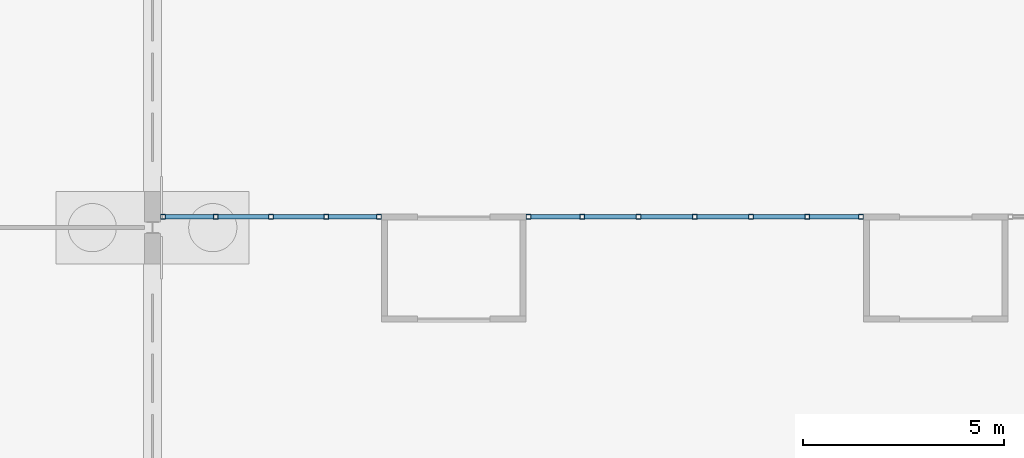
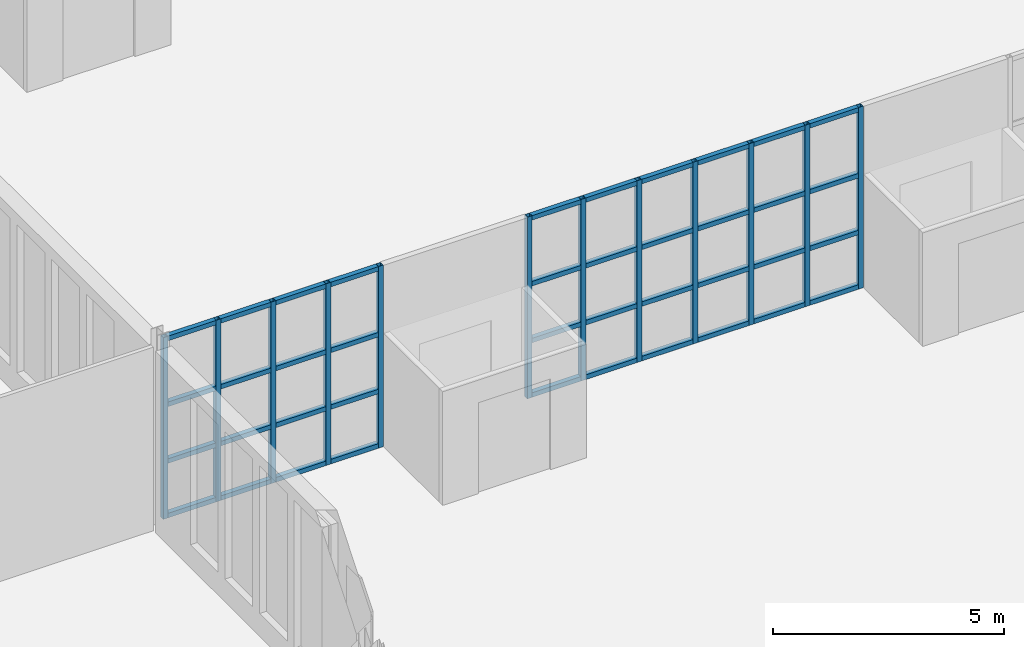
# One storey, part 46 of 168: 52 members, 2 elements without a shape of their own.
"""IFC4 building model written with IfcOpenShell, lengths in metres."""

from ifc_helpers import new_model, si_unit, direction, frame, origin, origin_2d, place, context, subcontext, project, spatial, hollow_rectangle, extrude, material, material_profile, profile_set, type_object, element, aggregate, save


model = new_model("IFC4")

# Units and contexts
model_context = context("Model", 3, precision=1e-05, world=origin(), true_north=direction((0.0, 1.0)))
body_context = subcontext(model_context, "Body", "Model", "MODEL_VIEW")
ifc_project = project(units=[si_unit("LENGTHUNIT", "METRE"), si_unit("AREAUNIT", "SQUARE_METRE"), si_unit("VOLUMEUNIT", "CUBIC_METRE"), si_unit("PLANEANGLEUNIT", "RADIAN"), si_unit("MASSUNIT", "GRAM", prefix="KILO")], contexts=[model_context])

# Site, building, storey
site_placement = place(None, origin())
site = spatial("IfcSite", under=ifc_project, at=site_placement, CompositionType="ELEMENT")
building_placement = place(site_placement, origin())
building = spatial("IfcBuilding", under=site, at=building_placement, Name="Golden Quay Civic Hall", CompositionType="ELEMENT")
storey_placement = place(building_placement, origin())
storey = spatial("IfcBuildingStorey", under=building, at=storey_placement, Name="L00", CompositionType="ELEMENT", Elevation=0.0)

# Curtain wall, members
ifc_material_1 = material(Name="Fire-resisting glass and steel", Category="steel")
curtain_wall_type = type_object("IfcCurtainWallType", Name="Fire-resisting glazed curtain wall EI 120", PredefinedType="NOTDEFINED", material=ifc_material_1)
curtain_wall_1_placement = place(storey_placement, origin())
curtain_wall_1 = element("IfcCurtainWall", 1, at=curtain_wall_1_placement, inside=storey, type_object=curtain_wall_type, Name="CW3 curtain wall", PredefinedType="NOTDEFINED")
ifc_material_2 = material(Name="Steel S355", Category="steel")
ifc_material_profile_1 = material_profile(ifc_material_2, hollow_rectangle(XDim=0.1201171875, YDim=0.1201171875, WallThickness=0.008056640625, at=origin_2d()), Name="SHS 120x120x8")
ifc_profile_set_1 = profile_set([ifc_material_profile_1], Name="Steel S355")
member_type_1 = type_object("IfcMemberType", Name="Fire-resisting steel mullion SHS 120x120x8", PredefinedType="MULLION", material=ifc_profile_set_1)
member_1_placement = place(storey_placement, frame((72.260009765625, 18.27001953125, 0.0), z_axis=(0.0, 0.0, 1.0), x_axis=(0.0, 1.0, 0.0)))
member_1 = element("IfcMember", 2, at=member_1_placement, type_object=member_type_1, Name="CW3 mullion 1", PredefinedType="MULLION", context=body_context, shape_type="SweptSolid", body=[
    extrude(hollow_rectangle(XDim=0.1201171875, YDim=0.1201171875, WallThickness=0.008056640625, at=origin_2d()), origin(), (0.0, 0.0, 1.0), 4.800048828125),
])
member_2_placement = place(storey_placement, frame((73.574951171875, 18.27001953125, 0.0), z_axis=(0.0, 0.0, 1.0), x_axis=(0.0, 1.0, 0.0)))
member_2 = element("IfcMember", 3, at=member_2_placement, type_object=member_type_1, Name="CW3 mullion 2", PredefinedType="MULLION", context=body_context, shape_type="SweptSolid", body=[
    extrude(hollow_rectangle(XDim=0.1201171875, YDim=0.1201171875, WallThickness=0.008056640625, at=origin_2d()), origin(), (0.0, 0.0, 1.0), 4.800048828125),
])
member_3_placement = place(storey_placement, frame((74.949951171875, 18.27001953125, 0.0), z_axis=(0.0, 0.0, 1.0), x_axis=(0.0, 1.0, 0.0)))
member_3 = element("IfcMember", 4, at=member_3_placement, type_object=member_type_1, Name="CW3 mullion 3", PredefinedType="MULLION", context=body_context, shape_type="SweptSolid", body=[
    extrude(hollow_rectangle(XDim=0.1201171875, YDim=0.1201171875, WallThickness=0.008056640625, at=origin_2d()), origin(), (0.0, 0.0, 1.0), 4.800048828125),
])
member_4_placement = place(storey_placement, frame((76.324951171875, 18.27001953125, 0.0), z_axis=(0.0, 0.0, 1.0), x_axis=(0.0, 1.0, 0.0)))
member_4 = element("IfcMember", 5, at=member_4_placement, type_object=member_type_1, Name="CW3 mullion 4", PredefinedType="MULLION", context=body_context, shape_type="SweptSolid", body=[
    extrude(hollow_rectangle(XDim=0.1201171875, YDim=0.1201171875, WallThickness=0.008056640625, at=origin_2d()), origin(), (0.0, 0.0, 1.0), 4.800048828125),
])
member_5_placement = place(storey_placement, frame((77.639892578125, 18.27001953125, 0.0), z_axis=(0.0, 0.0, 1.0), x_axis=(0.0, 1.0, 0.0)))
member_5 = element("IfcMember", 6, at=member_5_placement, type_object=member_type_1, Name="CW3 mullion 5", PredefinedType="MULLION", context=body_context, shape_type="SweptSolid", body=[
    extrude(hollow_rectangle(XDim=0.1201171875, YDim=0.1201171875, WallThickness=0.008056640625, at=origin_2d()), origin(), (0.0, 0.0, 1.0), 4.800048828125),
])

curtain_wall_2_placement = place(storey_placement, origin())
curtain_wall_2 = element("IfcCurtainWall", 7, at=curtain_wall_2_placement, inside=storey, type_object=curtain_wall_type, Name="CW3 curtain wall", PredefinedType="NOTDEFINED")
member_6_placement = place(storey_placement, frame((81.360107421875, 18.27001953125, 0.0), z_axis=(0.0, 0.0, 1.0), x_axis=(0.0, 1.0, 0.0)))
member_6 = element("IfcMember", 8, at=member_6_placement, type_object=member_type_1, Name="CW3 mullion 1", PredefinedType="MULLION", context=body_context, shape_type="SweptSolid", body=[
    extrude(hollow_rectangle(XDim=0.1201171875, YDim=0.1201171875, WallThickness=0.008056640625, at=origin_2d()), origin(), (0.0, 0.0, 1.0), 4.800048828125),
])
member_7_placement = place(storey_placement, frame((82.699951171875, 18.27001953125, 0.0), z_axis=(0.0, 0.0, 1.0), x_axis=(0.0, 1.0, 0.0)))
member_7 = element("IfcMember", 9, at=member_7_placement, type_object=member_type_1, Name="CW3 mullion 2", PredefinedType="MULLION", context=body_context, shape_type="SweptSolid", body=[
    extrude(hollow_rectangle(XDim=0.1201171875, YDim=0.1201171875, WallThickness=0.008056640625, at=origin_2d()), origin(), (0.0, 0.0, 1.0), 4.800048828125),
])
member_8_placement = place(storey_placement, frame((84.10009765625, 18.27001953125, 0.0), z_axis=(0.0, 0.0, 1.0), x_axis=(0.0, 1.0, 0.0)))
member_8 = element("IfcMember", 10, at=member_8_placement, type_object=member_type_1, Name="CW3 mullion 3", PredefinedType="MULLION", context=body_context, shape_type="SweptSolid", body=[
    extrude(hollow_rectangle(XDim=0.1201171875, YDim=0.1201171875, WallThickness=0.008056640625, at=origin_2d()), origin(), (0.0, 0.0, 1.0), 4.800048828125),
])
member_9_placement = place(storey_placement, frame((85.5, 18.27001953125, 0.0), z_axis=(0.0, 0.0, 1.0), x_axis=(0.0, 1.0, 0.0)))
member_9 = element("IfcMember", 11, at=member_9_placement, type_object=member_type_1, Name="CW3 mullion 4", PredefinedType="MULLION", context=body_context, shape_type="SweptSolid", body=[
    extrude(hollow_rectangle(XDim=0.1201171875, YDim=0.1201171875, WallThickness=0.008056640625, at=origin_2d()), origin(), (0.0, 0.0, 1.0), 4.800048828125),
])
member_10_placement = place(storey_placement, frame((86.89990234375, 18.27001953125, 0.0), z_axis=(0.0, 0.0, 1.0), x_axis=(0.0, 1.0, 0.0)))
member_10 = element("IfcMember", 12, at=member_10_placement, type_object=member_type_1, Name="CW3 mullion 5", PredefinedType="MULLION", context=body_context, shape_type="SweptSolid", body=[
    extrude(hollow_rectangle(XDim=0.1201171875, YDim=0.1201171875, WallThickness=0.008056640625, at=origin_2d()), origin(), (0.0, 0.0, 1.0), 4.800048828125),
])
member_11_placement = place(storey_placement, frame((88.300048828125, 18.27001953125, 0.0), z_axis=(0.0, 0.0, 1.0), x_axis=(0.0, 1.0, 0.0)))
member_11 = element("IfcMember", 13, at=member_11_placement, type_object=member_type_1, Name="CW3 mullion 6", PredefinedType="MULLION", context=body_context, shape_type="SweptSolid", body=[
    extrude(hollow_rectangle(XDim=0.1201171875, YDim=0.1201171875, WallThickness=0.008056640625, at=origin_2d()), origin(), (0.0, 0.0, 1.0), 4.800048828125),
])
member_12_placement = place(storey_placement, frame((89.639892578125, 18.27001953125, 0.0), z_axis=(0.0, 0.0, 1.0), x_axis=(0.0, 1.0, 0.0)))
member_12 = element("IfcMember", 14, at=member_12_placement, type_object=member_type_1, Name="CW3 mullion 7", PredefinedType="MULLION", context=body_context, shape_type="SweptSolid", body=[
    extrude(hollow_rectangle(XDim=0.1201171875, YDim=0.1201171875, WallThickness=0.008056640625, at=origin_2d()), origin(), (0.0, 0.0, 1.0), 4.800048828125),
])

# Member
ifc_material_3 = material(Name="Steel S355", Category="steel")
ifc_material_profile_2 = material_profile(ifc_material_3, hollow_rectangle(XDim=0.1201171875, YDim=0.1201171875, WallThickness=0.008056640625, at=origin_2d()), Name="SHS 120x120x8")
ifc_profile_set_2 = profile_set([ifc_material_profile_2], Name="Steel S355")
member_type_2 = type_object("IfcMemberType", Name="Fire-resisting steel transom SHS 120x120x8", PredefinedType="USERDEFINED", material=ifc_profile_set_2)
member_13_placement = place(storey_placement, frame((72.320068359375, 18.27001953125, 0.06005859375), z_axis=(1.0, 0.0, 0.0), x_axis=(0.0, 1.0, 0.0)))
member_13 = element("IfcMember", 15, at=member_13_placement, type_object=member_type_2, Name="CW3 transom 1.1", ObjectType="TRANSOM", PredefinedType="USERDEFINED", context=body_context, shape_type="SweptSolid", body=[
    extrude(hollow_rectangle(XDim=0.1201171875, YDim=0.1201171875, WallThickness=0.008056640625, at=origin_2d()), origin(), (0.0, 0.0, 1.0), 1.19482421875),
])

member_14_placement = place(storey_placement, frame((72.320068359375, 18.27001953125, 1.5), z_axis=(1.0, 0.0, 0.0), x_axis=(0.0, 1.0, 0.0)))
member_14 = element("IfcMember", 16, at=member_14_placement, type_object=member_type_2, Name="CW3 transom 1.2", ObjectType="TRANSOM", PredefinedType="USERDEFINED", context=body_context, shape_type="SweptSolid", body=[
    extrude(hollow_rectangle(XDim=0.1201171875, YDim=0.1201171875, WallThickness=0.008056640625, at=origin_2d()), origin(), (0.0, 0.0, 1.0), 1.19482421875),
])

member_15_placement = place(storey_placement, frame((72.320068359375, 18.27001953125, 3.0), z_axis=(1.0, 0.0, 0.0), x_axis=(0.0, 1.0, 0.0)))
member_15 = element("IfcMember", 17, at=member_15_placement, type_object=member_type_2, Name="CW3 transom 1.3", ObjectType="TRANSOM", PredefinedType="USERDEFINED", context=body_context, shape_type="SweptSolid", body=[
    extrude(hollow_rectangle(XDim=0.1201171875, YDim=0.1201171875, WallThickness=0.008056640625, at=origin_2d()), origin(), (0.0, 0.0, 1.0), 1.19482421875),
])

member_16_placement = place(storey_placement, frame((72.320068359375, 18.27001953125, 4.739990234375), z_axis=(1.0, 0.0, 0.0), x_axis=(0.0, 1.0, 0.0)))
member_16 = element("IfcMember", 18, at=member_16_placement, type_object=member_type_2, Name="CW3 transom 1.4", ObjectType="TRANSOM", PredefinedType="USERDEFINED", context=body_context, shape_type="SweptSolid", body=[
    extrude(hollow_rectangle(XDim=0.1201171875, YDim=0.1201171875, WallThickness=0.008056640625, at=origin_2d()), origin(), (0.0, 0.0, 1.0), 1.19482421875),
])

member_17_placement = place(storey_placement, frame((73.635009765625, 18.27001953125, 0.06005859375), z_axis=(1.0, 0.0, 0.0), x_axis=(0.0, 1.0, 0.0)))
member_17 = element("IfcMember", 19, at=member_17_placement, type_object=member_type_2, Name="CW3 transom 2.1", ObjectType="TRANSOM", PredefinedType="USERDEFINED", context=body_context, shape_type="SweptSolid", body=[
    extrude(hollow_rectangle(XDim=0.1201171875, YDim=0.1201171875, WallThickness=0.008056640625, at=origin_2d()), origin(), (0.0, 0.0, 1.0), 1.2548828125),
])

member_18_placement = place(storey_placement, frame((73.635009765625, 18.27001953125, 1.5), z_axis=(1.0, 0.0, 0.0), x_axis=(0.0, 1.0, 0.0)))
member_18 = element("IfcMember", 20, at=member_18_placement, type_object=member_type_2, Name="CW3 transom 2.2", ObjectType="TRANSOM", PredefinedType="USERDEFINED", context=body_context, shape_type="SweptSolid", body=[
    extrude(hollow_rectangle(XDim=0.1201171875, YDim=0.1201171875, WallThickness=0.008056640625, at=origin_2d()), origin(), (0.0, 0.0, 1.0), 1.2548828125),
])

member_19_placement = place(storey_placement, frame((73.635009765625, 18.27001953125, 3.0), z_axis=(1.0, 0.0, 0.0), x_axis=(0.0, 1.0, 0.0)))
member_19 = element("IfcMember", 21, at=member_19_placement, type_object=member_type_2, Name="CW3 transom 2.3", ObjectType="TRANSOM", PredefinedType="USERDEFINED", context=body_context, shape_type="SweptSolid", body=[
    extrude(hollow_rectangle(XDim=0.1201171875, YDim=0.1201171875, WallThickness=0.008056640625, at=origin_2d()), origin(), (0.0, 0.0, 1.0), 1.2548828125),
])

member_20_placement = place(storey_placement, frame((73.635009765625, 18.27001953125, 4.739990234375), z_axis=(1.0, 0.0, 0.0), x_axis=(0.0, 1.0, 0.0)))
member_20 = element("IfcMember", 22, at=member_20_placement, type_object=member_type_2, Name="CW3 transom 2.4", ObjectType="TRANSOM", PredefinedType="USERDEFINED", context=body_context, shape_type="SweptSolid", body=[
    extrude(hollow_rectangle(XDim=0.1201171875, YDim=0.1201171875, WallThickness=0.008056640625, at=origin_2d()), origin(), (0.0, 0.0, 1.0), 1.2548828125),
])

member_21_placement = place(storey_placement, frame((75.010009765625, 18.27001953125, 0.06005859375), z_axis=(1.0, 0.0, 0.0), x_axis=(0.0, 1.0, 0.0)))
member_21 = element("IfcMember", 23, at=member_21_placement, type_object=member_type_2, Name="CW3 transom 3.1", ObjectType="TRANSOM", PredefinedType="USERDEFINED", context=body_context, shape_type="SweptSolid", body=[
    extrude(hollow_rectangle(XDim=0.1201171875, YDim=0.1201171875, WallThickness=0.008056640625, at=origin_2d()), origin(), (0.0, 0.0, 1.0), 1.2548828125),
])

member_22_placement = place(storey_placement, frame((75.010009765625, 18.27001953125, 1.5), z_axis=(1.0, 0.0, 0.0), x_axis=(0.0, 1.0, 0.0)))
member_22 = element("IfcMember", 24, at=member_22_placement, type_object=member_type_2, Name="CW3 transom 3.2", ObjectType="TRANSOM", PredefinedType="USERDEFINED", context=body_context, shape_type="SweptSolid", body=[
    extrude(hollow_rectangle(XDim=0.1201171875, YDim=0.1201171875, WallThickness=0.008056640625, at=origin_2d()), origin(), (0.0, 0.0, 1.0), 1.2548828125),
])

member_23_placement = place(storey_placement, frame((75.010009765625, 18.27001953125, 3.0), z_axis=(1.0, 0.0, 0.0), x_axis=(0.0, 1.0, 0.0)))
member_23 = element("IfcMember", 25, at=member_23_placement, type_object=member_type_2, Name="CW3 transom 3.3", ObjectType="TRANSOM", PredefinedType="USERDEFINED", context=body_context, shape_type="SweptSolid", body=[
    extrude(hollow_rectangle(XDim=0.1201171875, YDim=0.1201171875, WallThickness=0.008056640625, at=origin_2d()), origin(), (0.0, 0.0, 1.0), 1.2548828125),
])

member_24_placement = place(storey_placement, frame((75.010009765625, 18.27001953125, 4.739990234375), z_axis=(1.0, 0.0, 0.0), x_axis=(0.0, 1.0, 0.0)))
member_24 = element("IfcMember", 26, at=member_24_placement, type_object=member_type_2, Name="CW3 transom 3.4", ObjectType="TRANSOM", PredefinedType="USERDEFINED", context=body_context, shape_type="SweptSolid", body=[
    extrude(hollow_rectangle(XDim=0.1201171875, YDim=0.1201171875, WallThickness=0.008056640625, at=origin_2d()), origin(), (0.0, 0.0, 1.0), 1.2548828125),
])

member_25_placement = place(storey_placement, frame((76.385009765625, 18.27001953125, 0.06005859375), z_axis=(1.0, 0.0, 0.0), x_axis=(0.0, 1.0, 0.0)))
member_25 = element("IfcMember", 27, at=member_25_placement, type_object=member_type_2, Name="CW3 transom 4.1", ObjectType="TRANSOM", PredefinedType="USERDEFINED", context=body_context, shape_type="SweptSolid", body=[
    extrude(hollow_rectangle(XDim=0.1201171875, YDim=0.1201171875, WallThickness=0.008056640625, at=origin_2d()), origin(), (0.0, 0.0, 1.0), 1.195068359375),
])

member_26_placement = place(storey_placement, frame((76.385009765625, 18.27001953125, 1.5), z_axis=(1.0, 0.0, 0.0), x_axis=(0.0, 1.0, 0.0)))
member_26 = element("IfcMember", 28, at=member_26_placement, type_object=member_type_2, Name="CW3 transom 4.2", ObjectType="TRANSOM", PredefinedType="USERDEFINED", context=body_context, shape_type="SweptSolid", body=[
    extrude(hollow_rectangle(XDim=0.1201171875, YDim=0.1201171875, WallThickness=0.008056640625, at=origin_2d()), origin(), (0.0, 0.0, 1.0), 1.195068359375),
])

member_27_placement = place(storey_placement, frame((76.385009765625, 18.27001953125, 3.0), z_axis=(1.0, 0.0, 0.0), x_axis=(0.0, 1.0, 0.0)))
member_27 = element("IfcMember", 29, at=member_27_placement, type_object=member_type_2, Name="CW3 transom 4.3", ObjectType="TRANSOM", PredefinedType="USERDEFINED", context=body_context, shape_type="SweptSolid", body=[
    extrude(hollow_rectangle(XDim=0.1201171875, YDim=0.1201171875, WallThickness=0.008056640625, at=origin_2d()), origin(), (0.0, 0.0, 1.0), 1.195068359375),
])

member_28_placement = place(storey_placement, frame((76.385009765625, 18.27001953125, 4.739990234375), z_axis=(1.0, 0.0, 0.0), x_axis=(0.0, 1.0, 0.0)))
member_28 = element("IfcMember", 30, at=member_28_placement, type_object=member_type_2, Name="CW3 transom 4.4", ObjectType="TRANSOM", PredefinedType="USERDEFINED", context=body_context, shape_type="SweptSolid", body=[
    extrude(hollow_rectangle(XDim=0.1201171875, YDim=0.1201171875, WallThickness=0.008056640625, at=origin_2d()), origin(), (0.0, 0.0, 1.0), 1.195068359375),
])

aggregate(curtain_wall_1, [member_1, member_2, member_3, member_4, member_5, member_13, member_14, member_15, member_16, member_17, member_18, member_19, member_20, member_21, member_22, member_23, member_24, member_25, member_26, member_27, member_28])

member_29_placement = place(storey_placement, frame((81.419921875, 18.27001953125, 0.06005859375), z_axis=(1.0, 0.0, 0.0), x_axis=(0.0, 1.0, 0.0)))
member_29 = element("IfcMember", 31, at=member_29_placement, type_object=member_type_2, Name="CW3 transom 1.1", ObjectType="TRANSOM", PredefinedType="USERDEFINED", context=body_context, shape_type="SweptSolid", body=[
    extrude(hollow_rectangle(XDim=0.1201171875, YDim=0.1201171875, WallThickness=0.008056640625, at=origin_2d()), origin(), (0.0, 0.0, 1.0), 1.219970703125),
])

member_30_placement = place(storey_placement, frame((81.419921875, 18.27001953125, 1.5), z_axis=(1.0, 0.0, 0.0), x_axis=(0.0, 1.0, 0.0)))
member_30 = element("IfcMember", 32, at=member_30_placement, type_object=member_type_2, Name="CW3 transom 1.2", ObjectType="TRANSOM", PredefinedType="USERDEFINED", context=body_context, shape_type="SweptSolid", body=[
    extrude(hollow_rectangle(XDim=0.1201171875, YDim=0.1201171875, WallThickness=0.008056640625, at=origin_2d()), origin(), (0.0, 0.0, 1.0), 1.219970703125),
])

member_31_placement = place(storey_placement, frame((81.419921875, 18.27001953125, 3.0), z_axis=(1.0, 0.0, 0.0), x_axis=(0.0, 1.0, 0.0)))
member_31 = element("IfcMember", 33, at=member_31_placement, type_object=member_type_2, Name="CW3 transom 1.3", ObjectType="TRANSOM", PredefinedType="USERDEFINED", context=body_context, shape_type="SweptSolid", body=[
    extrude(hollow_rectangle(XDim=0.1201171875, YDim=0.1201171875, WallThickness=0.008056640625, at=origin_2d()), origin(), (0.0, 0.0, 1.0), 1.219970703125),
])

member_32_placement = place(storey_placement, frame((81.419921875, 18.27001953125, 4.739990234375), z_axis=(1.0, 0.0, 0.0), x_axis=(0.0, 1.0, 0.0)))
member_32 = element("IfcMember", 34, at=member_32_placement, type_object=member_type_2, Name="CW3 transom 1.4", ObjectType="TRANSOM", PredefinedType="USERDEFINED", context=body_context, shape_type="SweptSolid", body=[
    extrude(hollow_rectangle(XDim=0.1201171875, YDim=0.1201171875, WallThickness=0.008056640625, at=origin_2d()), origin(), (0.0, 0.0, 1.0), 1.219970703125),
])

member_33_placement = place(storey_placement, frame((82.760009765625, 18.27001953125, 0.06005859375), z_axis=(1.0, 0.0, 0.0), x_axis=(0.0, 1.0, 0.0)))
member_33 = element("IfcMember", 35, at=member_33_placement, type_object=member_type_2, Name="CW3 transom 2.1", ObjectType="TRANSOM", PredefinedType="USERDEFINED", context=body_context, shape_type="SweptSolid", body=[
    extrude(hollow_rectangle(XDim=0.1201171875, YDim=0.1201171875, WallThickness=0.008056640625, at=origin_2d()), origin(), (0.0, 0.0, 1.0), 1.280029296875),
])

member_34_placement = place(storey_placement, frame((82.760009765625, 18.27001953125, 1.5), z_axis=(1.0, 0.0, 0.0), x_axis=(0.0, 1.0, 0.0)))
member_34 = element("IfcMember", 36, at=member_34_placement, type_object=member_type_2, Name="CW3 transom 2.2", ObjectType="TRANSOM", PredefinedType="USERDEFINED", context=body_context, shape_type="SweptSolid", body=[
    extrude(hollow_rectangle(XDim=0.1201171875, YDim=0.1201171875, WallThickness=0.008056640625, at=origin_2d()), origin(), (0.0, 0.0, 1.0), 1.280029296875),
])

member_35_placement = place(storey_placement, frame((82.760009765625, 18.27001953125, 3.0), z_axis=(1.0, 0.0, 0.0), x_axis=(0.0, 1.0, 0.0)))
member_35 = element("IfcMember", 37, at=member_35_placement, type_object=member_type_2, Name="CW3 transom 2.3", ObjectType="TRANSOM", PredefinedType="USERDEFINED", context=body_context, shape_type="SweptSolid", body=[
    extrude(hollow_rectangle(XDim=0.1201171875, YDim=0.1201171875, WallThickness=0.008056640625, at=origin_2d()), origin(), (0.0, 0.0, 1.0), 1.280029296875),
])

member_36_placement = place(storey_placement, frame((82.760009765625, 18.27001953125, 4.739990234375), z_axis=(1.0, 0.0, 0.0), x_axis=(0.0, 1.0, 0.0)))
member_36 = element("IfcMember", 38, at=member_36_placement, type_object=member_type_2, Name="CW3 transom 2.4", ObjectType="TRANSOM", PredefinedType="USERDEFINED", context=body_context, shape_type="SweptSolid", body=[
    extrude(hollow_rectangle(XDim=0.1201171875, YDim=0.1201171875, WallThickness=0.008056640625, at=origin_2d()), origin(), (0.0, 0.0, 1.0), 1.280029296875),
])

member_37_placement = place(storey_placement, frame((84.159912109375, 18.27001953125, 0.06005859375), z_axis=(1.0, 0.0, 0.0), x_axis=(0.0, 1.0, 0.0)))
member_37 = element("IfcMember", 39, at=member_37_placement, type_object=member_type_2, Name="CW3 transom 3.1", ObjectType="TRANSOM", PredefinedType="USERDEFINED", context=body_context, shape_type="SweptSolid", body=[
    extrude(hollow_rectangle(XDim=0.1201171875, YDim=0.1201171875, WallThickness=0.008056640625, at=origin_2d()), origin(), (0.0, 0.0, 1.0), 1.280029296875),
])

member_38_placement = place(storey_placement, frame((84.159912109375, 18.27001953125, 1.5), z_axis=(1.0, 0.0, 0.0), x_axis=(0.0, 1.0, 0.0)))
member_38 = element("IfcMember", 40, at=member_38_placement, type_object=member_type_2, Name="CW3 transom 3.2", ObjectType="TRANSOM", PredefinedType="USERDEFINED", context=body_context, shape_type="SweptSolid", body=[
    extrude(hollow_rectangle(XDim=0.1201171875, YDim=0.1201171875, WallThickness=0.008056640625, at=origin_2d()), origin(), (0.0, 0.0, 1.0), 1.280029296875),
])

member_39_placement = place(storey_placement, frame((84.159912109375, 18.27001953125, 3.0), z_axis=(1.0, 0.0, 0.0), x_axis=(0.0, 1.0, 0.0)))
member_39 = element("IfcMember", 41, at=member_39_placement, type_object=member_type_2, Name="CW3 transom 3.3", ObjectType="TRANSOM", PredefinedType="USERDEFINED", context=body_context, shape_type="SweptSolid", body=[
    extrude(hollow_rectangle(XDim=0.1201171875, YDim=0.1201171875, WallThickness=0.008056640625, at=origin_2d()), origin(), (0.0, 0.0, 1.0), 1.280029296875),
])

member_40_placement = place(storey_placement, frame((84.159912109375, 18.27001953125, 4.739990234375), z_axis=(1.0, 0.0, 0.0), x_axis=(0.0, 1.0, 0.0)))
member_40 = element("IfcMember", 42, at=member_40_placement, type_object=member_type_2, Name="CW3 transom 3.4", ObjectType="TRANSOM", PredefinedType="USERDEFINED", context=body_context, shape_type="SweptSolid", body=[
    extrude(hollow_rectangle(XDim=0.1201171875, YDim=0.1201171875, WallThickness=0.008056640625, at=origin_2d()), origin(), (0.0, 0.0, 1.0), 1.280029296875),
])

member_41_placement = place(storey_placement, frame((85.56005859375, 18.27001953125, 0.06005859375), z_axis=(1.0, 0.0, 0.0), x_axis=(0.0, 1.0, 0.0)))
member_41 = element("IfcMember", 43, at=member_41_placement, type_object=member_type_2, Name="CW3 transom 4.1", ObjectType="TRANSOM", PredefinedType="USERDEFINED", context=body_context, shape_type="SweptSolid", body=[
    extrude(hollow_rectangle(XDim=0.1201171875, YDim=0.1201171875, WallThickness=0.008056640625, at=origin_2d()), origin(), (0.0, 0.0, 1.0), 1.280029296875),
])

member_42_placement = place(storey_placement, frame((85.56005859375, 18.27001953125, 1.5), z_axis=(1.0, 0.0, 0.0), x_axis=(0.0, 1.0, 0.0)))
member_42 = element("IfcMember", 44, at=member_42_placement, type_object=member_type_2, Name="CW3 transom 4.2", ObjectType="TRANSOM", PredefinedType="USERDEFINED", context=body_context, shape_type="SweptSolid", body=[
    extrude(hollow_rectangle(XDim=0.1201171875, YDim=0.1201171875, WallThickness=0.008056640625, at=origin_2d()), origin(), (0.0, 0.0, 1.0), 1.280029296875),
])

member_43_placement = place(storey_placement, frame((85.56005859375, 18.27001953125, 3.0), z_axis=(1.0, 0.0, 0.0), x_axis=(0.0, 1.0, 0.0)))
member_43 = element("IfcMember", 45, at=member_43_placement, type_object=member_type_2, Name="CW3 transom 4.3", ObjectType="TRANSOM", PredefinedType="USERDEFINED", context=body_context, shape_type="SweptSolid", body=[
    extrude(hollow_rectangle(XDim=0.1201171875, YDim=0.1201171875, WallThickness=0.008056640625, at=origin_2d()), origin(), (0.0, 0.0, 1.0), 1.280029296875),
])

member_44_placement = place(storey_placement, frame((85.56005859375, 18.27001953125, 4.739990234375), z_axis=(1.0, 0.0, 0.0), x_axis=(0.0, 1.0, 0.0)))
member_44 = element("IfcMember", 46, at=member_44_placement, type_object=member_type_2, Name="CW3 transom 4.4", ObjectType="TRANSOM", PredefinedType="USERDEFINED", context=body_context, shape_type="SweptSolid", body=[
    extrude(hollow_rectangle(XDim=0.1201171875, YDim=0.1201171875, WallThickness=0.008056640625, at=origin_2d()), origin(), (0.0, 0.0, 1.0), 1.280029296875),
])

member_45_placement = place(storey_placement, frame((86.9599609375, 18.27001953125, 0.06005859375), z_axis=(1.0, 0.0, 0.0), x_axis=(0.0, 1.0, 0.0)))
member_45 = element("IfcMember", 47, at=member_45_placement, type_object=member_type_2, Name="CW3 transom 5.1", ObjectType="TRANSOM", PredefinedType="USERDEFINED", context=body_context, shape_type="SweptSolid", body=[
    extrude(hollow_rectangle(XDim=0.1201171875, YDim=0.1201171875, WallThickness=0.008056640625, at=origin_2d()), origin(), (0.0, 0.0, 1.0), 1.280029296875),
])

member_46_placement = place(storey_placement, frame((86.9599609375, 18.27001953125, 1.5), z_axis=(1.0, 0.0, 0.0), x_axis=(0.0, 1.0, 0.0)))
member_46 = element("IfcMember", 48, at=member_46_placement, type_object=member_type_2, Name="CW3 transom 5.2", ObjectType="TRANSOM", PredefinedType="USERDEFINED", context=body_context, shape_type="SweptSolid", body=[
    extrude(hollow_rectangle(XDim=0.1201171875, YDim=0.1201171875, WallThickness=0.008056640625, at=origin_2d()), origin(), (0.0, 0.0, 1.0), 1.280029296875),
])

member_47_placement = place(storey_placement, frame((86.9599609375, 18.27001953125, 3.0), z_axis=(1.0, 0.0, 0.0), x_axis=(0.0, 1.0, 0.0)))
member_47 = element("IfcMember", 49, at=member_47_placement, type_object=member_type_2, Name="CW3 transom 5.3", ObjectType="TRANSOM", PredefinedType="USERDEFINED", context=body_context, shape_type="SweptSolid", body=[
    extrude(hollow_rectangle(XDim=0.1201171875, YDim=0.1201171875, WallThickness=0.008056640625, at=origin_2d()), origin(), (0.0, 0.0, 1.0), 1.280029296875),
])

member_48_placement = place(storey_placement, frame((86.9599609375, 18.27001953125, 4.739990234375), z_axis=(1.0, 0.0, 0.0), x_axis=(0.0, 1.0, 0.0)))
member_48 = element("IfcMember", 50, at=member_48_placement, type_object=member_type_2, Name="CW3 transom 5.4", ObjectType="TRANSOM", PredefinedType="USERDEFINED", context=body_context, shape_type="SweptSolid", body=[
    extrude(hollow_rectangle(XDim=0.1201171875, YDim=0.1201171875, WallThickness=0.008056640625, at=origin_2d()), origin(), (0.0, 0.0, 1.0), 1.280029296875),
])

member_49_placement = place(storey_placement, frame((88.360107421875, 18.27001953125, 0.06005859375), z_axis=(1.0, 0.0, 0.0), x_axis=(0.0, 1.0, 0.0)))
member_49 = element("IfcMember", 51, at=member_49_placement, type_object=member_type_2, Name="CW3 transom 6.1", ObjectType="TRANSOM", PredefinedType="USERDEFINED", context=body_context, shape_type="SweptSolid", body=[
    extrude(hollow_rectangle(XDim=0.1201171875, YDim=0.1201171875, WallThickness=0.008056640625, at=origin_2d()), origin(), (0.0, 0.0, 1.0), 1.219970703125),
])

member_50_placement = place(storey_placement, frame((88.360107421875, 18.27001953125, 1.5), z_axis=(1.0, 0.0, 0.0), x_axis=(0.0, 1.0, 0.0)))
member_50 = element("IfcMember", 52, at=member_50_placement, type_object=member_type_2, Name="CW3 transom 6.2", ObjectType="TRANSOM", PredefinedType="USERDEFINED", context=body_context, shape_type="SweptSolid", body=[
    extrude(hollow_rectangle(XDim=0.1201171875, YDim=0.1201171875, WallThickness=0.008056640625, at=origin_2d()), origin(), (0.0, 0.0, 1.0), 1.219970703125),
])

member_51_placement = place(storey_placement, frame((88.360107421875, 18.27001953125, 3.0), z_axis=(1.0, 0.0, 0.0), x_axis=(0.0, 1.0, 0.0)))
member_51 = element("IfcMember", 53, at=member_51_placement, type_object=member_type_2, Name="CW3 transom 6.3", ObjectType="TRANSOM", PredefinedType="USERDEFINED", context=body_context, shape_type="SweptSolid", body=[
    extrude(hollow_rectangle(XDim=0.1201171875, YDim=0.1201171875, WallThickness=0.008056640625, at=origin_2d()), origin(), (0.0, 0.0, 1.0), 1.219970703125),
])

member_52_placement = place(storey_placement, frame((88.360107421875, 18.27001953125, 4.739990234375), z_axis=(1.0, 0.0, 0.0), x_axis=(0.0, 1.0, 0.0)))
member_52 = element("IfcMember", 54, at=member_52_placement, type_object=member_type_2, Name="CW3 transom 6.4", ObjectType="TRANSOM", PredefinedType="USERDEFINED", context=body_context, shape_type="SweptSolid", body=[
    extrude(hollow_rectangle(XDim=0.1201171875, YDim=0.1201171875, WallThickness=0.008056640625, at=origin_2d()), origin(), (0.0, 0.0, 1.0), 1.219970703125),
])

aggregate(curtain_wall_2, [member_6, member_7, member_8, member_9, member_10, member_11, member_12, member_29, member_30, member_31, member_32, member_33, member_34, member_35, member_36, member_37, member_38, member_39, member_40, member_41, member_42, member_43, member_44, member_45, member_46, member_47, member_48, member_49, member_50, member_51, member_52])

save(model, "model.ifc")
